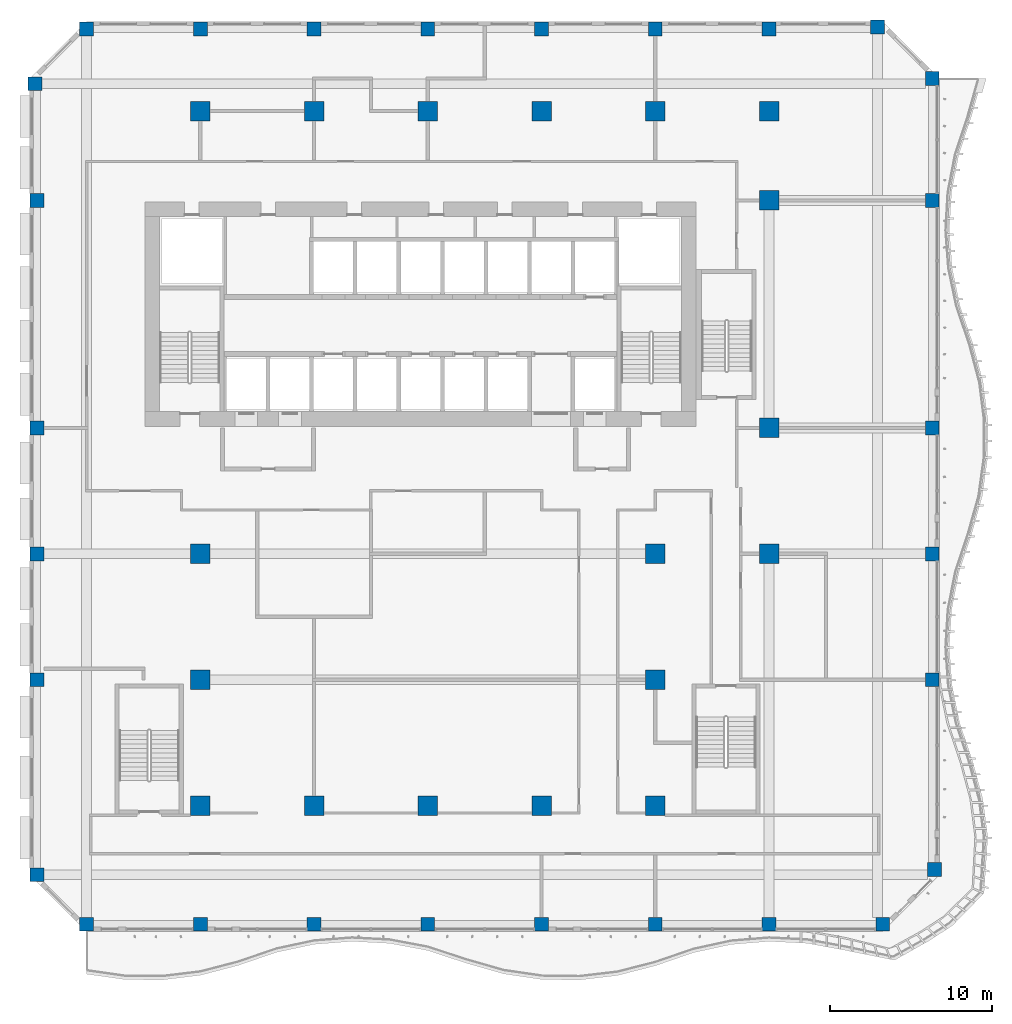
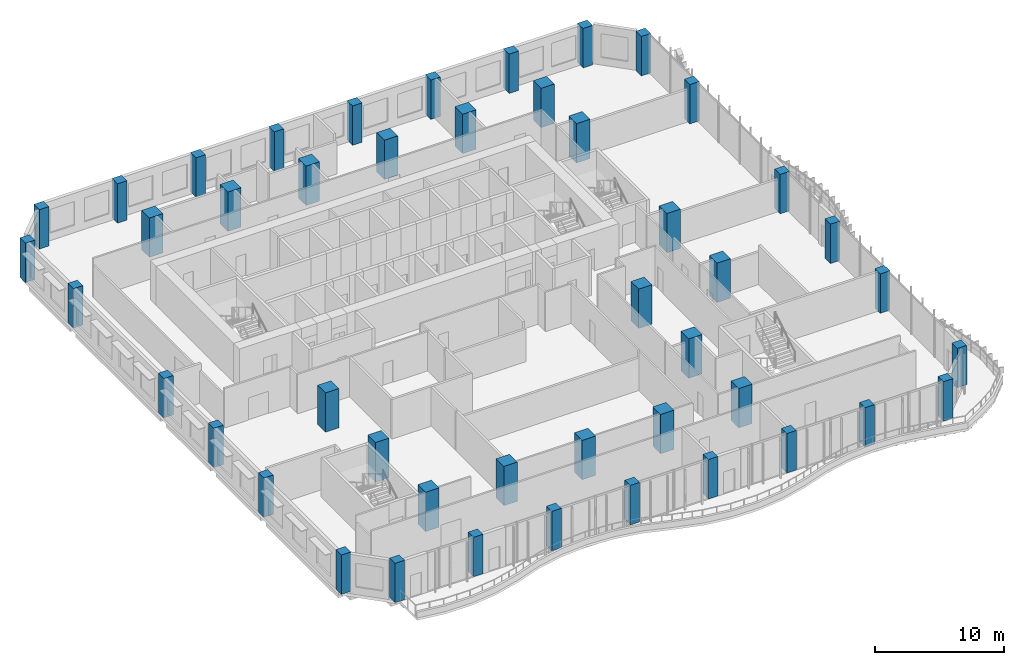
# One storey, part 1 of 26: 46 columns.
"""IFC4 building model written with IfcOpenShell, lengths in metres."""

from ifc_helpers import new_model, si_unit, direction, frame, origin, origin_2d, place, context, subcontext, project, spatial, rectangle, extrude, source, transform, mapped, material, material_profile, profile_set, type_object, element, save


model = new_model("IFC4")

# Units and contexts
model_context = context("Model", 3, precision=1e-05, world=origin(), true_north=direction((0.0, 1.0)))
body_context = subcontext(model_context, "Body", "Model", "MODEL_VIEW")
ifc_project = project(units=[si_unit("LENGTHUNIT", "METRE"), si_unit("AREAUNIT", "SQUARE_METRE"), si_unit("VOLUMEUNIT", "CUBIC_METRE"), si_unit("PLANEANGLEUNIT", "RADIAN"), si_unit("MASSUNIT", "GRAM", prefix="KILO")], contexts=[model_context])

# Site, building, storey
site_placement = place(None, origin())
site = spatial("IfcSite", under=ifc_project, at=site_placement, CompositionType="ELEMENT")
building_placement = place(site_placement, origin())
building = spatial("IfcBuilding", under=site, at=building_placement, Name="Kilnfold Tower and Market Hall", CompositionType="ELEMENT")
storey_placement = place(building_placement, frame((0.0, 0.0, 108.60009765625)))
storey = spatial("IfcBuildingStorey", under=building, at=storey_placement, Name="L25", CompositionType="ELEMENT", Elevation=108.60009765625)

# Columns
ifc_material_1 = material(Name="Concrete C80", Category="concrete")
ifc_material_profile_1 = material_profile(ifc_material_1, rectangle(XDim=0.85009765625, YDim=0.85009765625, at=origin_2d()), Name="RC 850x850")
ifc_profile_set_1 = profile_set([ifc_material_profile_1], Name="Concrete C80")
column_type_1 = type_object("IfcColumnType", Name="COLUMN 850X850 C80", PredefinedType="COLUMN", material=ifc_profile_set_1)
shared_shape_1 = source(origin(), body_context, "Body", "SweptSolid", [
    extrude(rectangle(XDim=0.85009765625, YDim=0.85009765625, at=origin_2d()), origin(), (0.0, 0.0, 1.0), 3.719970703125),
])
for number, where, z_axis, x_axis, name in (
    (1, (-22.681884765625, 29.181884765625, 0.0), (0.0, 0.0, 1.0), (1.0, 0.0, 0.0), "Column C-B3-1I"),
    (2, (-22.550048828125, -19.5, 0.0), (0.0, 0.0, 1.0), (1.0, 0.0, 0.0), "Column C-B3-1B"),
    (3, (-22.550048828125, -7.5, 0.0), (0.0, 0.0, 1.0), (1.0, 0.0, 0.0), "Column C-B3-1D"),
    (4, (-22.550048828125, 0.25, 0.0), (0.0, 0.0, 1.0), (1.0, 0.0, 0.0), "Column C-B3-1E"),
    (5, (-22.550048828125, 8.0, 0.0), (0.0, 0.0, 1.0), (1.0, 0.0, 0.0), "Column C-B3-1F"),
    (6, (-22.550048828125, 22.0, 0.0), (0.0, 0.0, 1.0), (1.0, 0.0, 0.0), "Column C-B3-1G"),
    (7, (-19.5, -22.550048828125, 0.0), (0.0, 0.0, 1.0), (1.0, 0.0, 0.0), "Column C-B3-2A"),
    (8, (-19.5, 32.550048828125, 0.0), (0.0, 0.0, 1.0), (1.0, 0.0, 0.0), "Column C-B3-2J"),
    (9, (-12.5, -22.550048828125, 0.0), (0.0, 0.0, 1.0), (1.0, 0.0, 0.0), "Column C-B3-3A"),
    (10, (-12.5, 32.550048828125, 0.0), (0.0, 0.0, 1.0), (1.0, 0.0, 0.0), "Column C-B3-3J"),
    (11, (-5.5, -22.550048828125, 0.0), (0.0, 0.0, 1.0), (1.0, 0.0, 0.0), "Column C-B3-4A"),
    (12, (-5.5, 32.550048828125, 0.0), (0.0, 0.0, 1.0), (1.0, 0.0, 0.0), "Column C-B3-4J"),
    (13, (1.5, -22.550048828125, 0.0), (0.0, 0.0, 1.0), (1.0, 0.0, 0.0), "Column C-B3-5A"),
    (14, (1.5, 32.550048828125, 0.0), (0.0, 0.0, 1.0), (1.0, 0.0, 0.0), "Column C-B3-5J"),
    (15, (8.5, -22.550048828125, 0.0), (0.0, 0.0, 1.0), (1.0, 0.0, 0.0), "Column C-B3-6A"),
    (16, (8.5, 32.550048828125, 0.0), (0.0, 0.0, 1.0), (1.0, 0.0, 0.0), "Column C-B3-6J"),
    (17, (15.5, -22.550048828125, 0.0), (0.0, 0.0, 1.0), (1.0, 0.0, 0.0), "Column C-B3-7A"),
    (18, (15.5, 32.550048828125, 0.0), (0.0, 0.0, 1.0), (1.0, 0.0, 0.0), "Column C-B3-7J"),
    (19, (22.5, -22.550048828125, 0.0), (0.0, 0.0, 1.0), (1.0, 0.0, 0.0), "Column C-B3-8A"),
    (20, (22.5, 32.550048828125, 0.0), (0.0, 0.0, 1.0), (1.0, 0.0, 0.0), "Column C-B3-8J"),
    (21, (29.181884765625, 32.681884765625, 0.0), (0.0, 0.0, 1.0), (1.0, 0.0, 0.0), "Column C-B3-9J"),
    (22, (29.5, -22.550048828125, 0.0), (0.0, 0.0, 1.0), (1.0, 0.0, 0.0), "Column C-B3-9A"),
    (23, (32.550048828125, -7.5, 0.0), (0.0, 0.0, 1.0), (1.0, 0.0, 0.0), "Column C-B3-10D"),
    (24, (32.550048828125, 0.25, 0.0), (0.0, 0.0, 1.0), (1.0, 0.0, 0.0), "Column C-B3-10E"),
    (25, (32.550048828125, 8.0, 0.0), (0.0, 0.0, 1.0), (1.0, 0.0, 0.0), "Column C-B3-10F"),
    (26, (32.550048828125, 22.0, 0.0), (0.0, 0.0, 1.0), (1.0, 0.0, 0.0), "Column C-B3-10G"),
    (27, (32.550048828125, 29.5, 0.0), (0.0, 0.0, 1.0), (1.0, 0.0, 0.0), "Column C-B3-10I"),
    (28, (32.681884765625, -19.181884765625, 0.0), (0.0, 0.0, 1.0), (1.0, 0.0, 0.0), "Column C-B3-10B"),
):
    element("IfcColumn", number, at=place(storey_placement, frame(where, z_axis=z_axis, x_axis=x_axis)), inside=storey, type_object=column_type_1, Name=name, PredefinedType="COLUMN", context=body_context, shape_type="MappedRepresentation", body=[
        mapped(shared_shape_1, transform((0.0, 0.0, 0.0))),
    ])
ifc_material_2 = material(Name="Concrete C80", Category="concrete")
ifc_material_profile_2 = material_profile(ifc_material_2, rectangle(XDim=1.199951171875, YDim=1.199951171875, at=origin_2d()), Name="RC 1200x1200")
ifc_profile_set_2 = profile_set([ifc_material_profile_2], Name="Concrete C80")
column_type_2 = type_object("IfcColumnType", Name="COLUMN 1200X1200 C80", PredefinedType="COLUMN", material=ifc_profile_set_2)
shared_shape_2 = source(origin(), body_context, "Body", "SweptSolid", [
    extrude(rectangle(XDim=1.199951171875, YDim=1.199951171875, at=origin_2d()), origin(), (0.0, 0.0, 1.0), 3.719970703125),
])
for number, where, z_axis, x_axis, name in (
    (29, (-12.5, -15.25, 0.0), (0.0, 0.0, 1.0), (1.0, 0.0, 0.0), "Column C-B3-3C"),
    (30, (-12.5, -7.5, 0.0), (0.0, 0.0, 1.0), (1.0, 0.0, 0.0), "Column C-B3-3D"),
    (31, (-12.5, 0.25, 0.0), (0.0, 0.0, 1.0), (1.0, 0.0, 0.0), "Column C-B3-3E"),
    (32, (-12.5, 27.5, 0.0), (0.0, 0.0, 1.0), (1.0, 0.0, 0.0), "Column C-B3-3H"),
    (33, (-5.5, -15.25, 0.0), (0.0, 0.0, 1.0), (1.0, 0.0, 0.0), "Column C-B3-4C"),
    (34, (-5.5, 27.5, 0.0), (0.0, 0.0, 1.0), (1.0, 0.0, 0.0), "Column C-B3-4H"),
    (35, (1.5, -15.25, 0.0), (0.0, 0.0, 1.0), (1.0, 0.0, 0.0), "Column C-B3-5C"),
    (36, (1.5, 27.5, 0.0), (0.0, 0.0, 1.0), (1.0, 0.0, 0.0), "Column C-B3-5H"),
    (37, (8.5, -15.25, 0.0), (0.0, 0.0, 1.0), (1.0, 0.0, 0.0), "Column C-B3-6C"),
    (38, (8.5, 27.5, 0.0), (0.0, 0.0, 1.0), (1.0, 0.0, 0.0), "Column C-B3-6H"),
    (39, (15.5, -15.25, 0.0), (0.0, 0.0, 1.0), (1.0, 0.0, 0.0), "Column C-B3-7C"),
    (40, (15.5, -7.5, 0.0), (0.0, 0.0, 1.0), (1.0, 0.0, 0.0), "Column C-B3-7D"),
    (41, (15.5, 0.25, 0.0), (0.0, 0.0, 1.0), (1.0, 0.0, 0.0), "Column C-B3-7E"),
    (42, (15.5, 27.5, 0.0), (0.0, 0.0, 1.0), (1.0, 0.0, 0.0), "Column C-B3-7H"),
    (43, (22.5, 0.25, 0.0), (0.0, 0.0, 1.0), (1.0, 0.0, 0.0), "Column C-B3-8E"),
    (44, (22.5, 8.0, 0.0), (0.0, 0.0, 1.0), (1.0, 0.0, 0.0), "Column C-B3-8F"),
    (45, (22.5, 22.0, 0.0), (0.0, 0.0, 1.0), (1.0, 0.0, 0.0), "Column C-B3-8G"),
    (46, (22.5, 27.5, 0.0), (0.0, 0.0, 1.0), (1.0, 0.0, 0.0), "Column C-B3-8H"),
):
    element("IfcColumn", number, at=place(storey_placement, frame(where, z_axis=z_axis, x_axis=x_axis)), inside=storey, type_object=column_type_2, Name=name, PredefinedType="COLUMN", context=body_context, shape_type="MappedRepresentation", body=[
        mapped(shared_shape_2, transform((0.0, 0.0, 0.0))),
    ])

save(model, "model.ifc")
